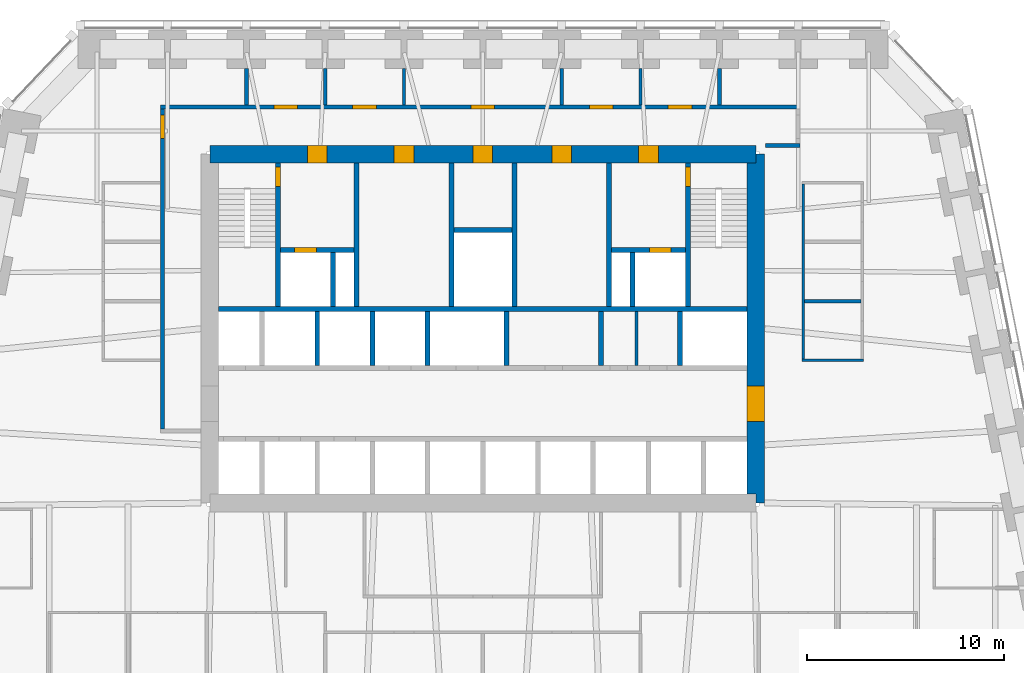
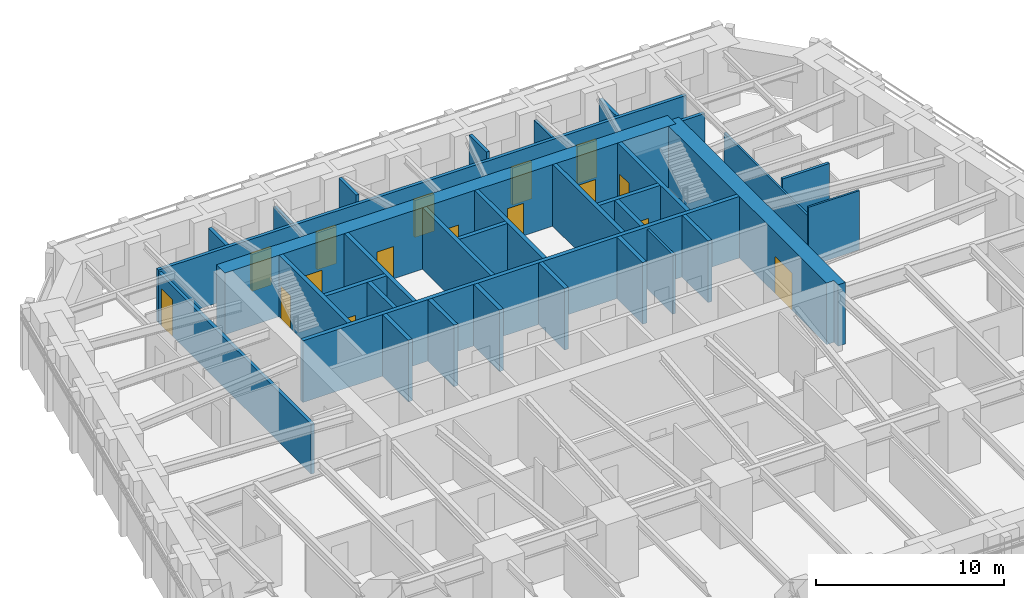
# One storey, part 7 of 10: 33 walls, 16 doors, 16 openings.
"""IFC4 building model written with IfcOpenShell, lengths in metres."""

from ifc_helpers import new_model, si_unit, direction, frame, frame_2d, origin, place, context, subcontext, project, spatial, polyline, rectangle, outline, extrude, material, layer, layer_set, type_object, element, fill, save


model = new_model("IFC4")

# Units and contexts
model_context = context("Model", 3, precision=1e-05, world=origin(), true_north=direction((0.0, 1.0)))
body_context = subcontext(model_context, "Body", "Model", "MODEL_VIEW")
ifc_project = project(units=[si_unit("LENGTHUNIT", "METRE"), si_unit("AREAUNIT", "SQUARE_METRE"), si_unit("VOLUMEUNIT", "CUBIC_METRE"), si_unit("PLANEANGLEUNIT", "RADIAN"), si_unit("MASSUNIT", "GRAM", prefix="KILO")], contexts=[model_context])

# Site, building, storey
site_placement = place(None, origin())
site = spatial("IfcSite", under=ifc_project, at=site_placement, CompositionType="ELEMENT")
building_placement = place(site_placement, origin())
building = spatial("IfcBuilding", under=site, at=building_placement, Name="Isbrekke Arena Tower", CompositionType="ELEMENT")
storey_placement = place(building_placement, frame((0.0, 0.0, 72.0)))
storey = spatial("IfcBuildingStorey", under=building, at=storey_placement, Name="L15", CompositionType="ELEMENT", Elevation=72.0)

# Wall, opening, door
ifc_material_1 = material(Name="Concrete B65 (C65/80)", Category="concrete")
ifc_layer_1 = layer(ifc_material_1, 0.89990234375)
ifc_layer_set_1 = layer_set([ifc_layer_1], Name="CW2 CORE WALL 900")
wall_type_1 = type_object("IfcWallType", Name="CW2 CORE WALL 900", PredefinedType="SHEAR", material=ifc_layer_set_1)
wall_1_placement = place(storey_placement, frame((13.85009765625, 6.14990234375, 0.0), z_axis=(0.0, 0.0, 1.0), x_axis=(0.0, 1.0, 0.0)))
wall_1 = element("IfcWall", 1, at=wall_1_placement, inside=storey, type_object=wall_type_1, Name="Core wall E L15", PredefinedType="SHEAR", context=body_context, shape_type="SweptSolid", body=[
    extrude(outline(polyline([(0.0, -0.449951171875), (17.7001953125, -0.449951171875), (17.7001953125, 0.0), (17.250244140625, 0.0), (17.250244140625, 0.449951171875), (0.449951171875, 0.449951171875), (0.449951171875, 0.0), (0.0, 0.0), (0.0, -0.449951171875)])), origin(), (0.0, 0.0, 1.0), 4.0),
])
opening_1_placement = place(wall_1_placement, frame((4.14990234375, 0.0, 0.0)))
opening_1 = element("IfcOpeningElement", 2, at=opening_1_placement, cuts=wall_1, Name="Opening D1", PredefinedType="OPENING", context=body_context, shape_type="SweptSolid", body=[
    extrude(rectangle(XDim=1.800048828125, YDim=2.39990234375, at=frame_2d((0.89990234375, 1.199951171875))), frame((0.0, 0.46484375, 0.0), z_axis=(0.0, -1.0, 0.0), x_axis=(1.0, 0.0, 0.0)), (0.0, 0.0, 1.0), 0.9296875),
])
ifc_material_2 = material(Name="Steel-framed glazed fire door", Category="steel")
door_type_1 = type_object("IfcDoorType", Name="D1 CORE LOBBY DOOR 1800 x 2400", OperationType="DOUBLE_DOOR_SINGLE_SWING", PredefinedType="DOOR", material=ifc_material_2)
door_1_placement = place(opening_1_placement, origin())
door_1 = element("IfcDoor", 3, at=door_1_placement, inside=storey, type_object=door_type_1, Name="D1 lift lobby door east L15", OperationType="DOUBLE_DOOR_SINGLE_SWING", OverallHeight=2.39990234375, OverallWidth=1.800048828125, PredefinedType="DOOR", context=body_context, shape_type="SweptSolid", body=[
    extrude(rectangle(XDim=1.800048828125, YDim=2.39990234375, at=frame_2d((0.89990234375, 1.199951171875))), frame((0.0, 0.44970703125, 0.0), z_axis=(0.0, -1.0, 0.0), x_axis=(1.0, 0.0, 0.0)), (0.0, 0.0, 1.0), 0.8994140625),
])
fill(opening_1, door_1)

# Wall, openings, doors
wall_2_placement = place(storey_placement, frame((13.85009765625, 23.85009765625, 0.0), z_axis=(0.0, 0.0, 1.0), x_axis=(-1.0, 0.0, 0.0)))
wall_2 = element("IfcWall", 4, at=wall_2_placement, inside=storey, type_object=wall_type_1, Name="Core wall N L15", PredefinedType="SHEAR", context=body_context, shape_type="SweptSolid", body=[
    extrude(rectangle(XDim=27.7001953125, YDim=0.89990234375, at=frame_2d((13.85009765625, 0.0))), origin(), (0.0, 0.0, 1.0), 4.0),
])
opening_2_placement = place(wall_2_placement, frame((21.75, 0.0, 0.0)))
opening_2 = element("IfcOpeningElement", 5, at=opening_2_placement, cuts=wall_2, Name="Opening D3", PredefinedType="OPENING", context=body_context, shape_type="SweptSolid", body=[
    extrude(rectangle(XDim=1.0, YDim=2.10009765625, at=frame_2d((0.5, 1.050048828125))), frame((0.0, 0.46484375, 0.0), z_axis=(0.0, -1.0, 0.0), x_axis=(1.0, 0.0, 0.0)), (0.0, 0.0, 1.0), 0.9296875),
])
opening_3_placement = place(wall_2_placement, frame((4.949951171875, 0.0, 0.0)))
opening_3 = element("IfcOpeningElement", 6, at=opening_3_placement, cuts=wall_2, Name="Opening D3", PredefinedType="OPENING", context=body_context, shape_type="SweptSolid", body=[
    extrude(rectangle(XDim=1.0, YDim=2.10009765625, at=frame_2d((0.5, 1.050048828125))), frame((0.0, 0.46484375, 0.0), z_axis=(0.0, -1.0, 0.0), x_axis=(1.0, 0.0, 0.0)), (0.0, 0.0, 1.0), 0.9296875),
])
opening_4_placement = place(wall_2_placement, frame((17.35009765625, 0.0, 0.0)))
opening_4 = element("IfcOpeningElement", 7, at=opening_4_placement, cuts=wall_2, Name="Opening D4", PredefinedType="OPENING", context=body_context, shape_type="SweptSolid", body=[
    extrude(rectangle(XDim=1.0, YDim=2.10009765625, at=frame_2d((0.5, 1.050048828125))), frame((0.0, 0.46484375, 0.0), z_axis=(0.0, -1.0, 0.0), x_axis=(1.0, 0.0, 0.0)), (0.0, 0.0, 1.0), 0.9296875),
])
opening_5_placement = place(wall_2_placement, frame((13.35009765625, 0.0, 0.0)))
opening_5 = element("IfcOpeningElement", 8, at=opening_5_placement, cuts=wall_2, Name="Opening D4", PredefinedType="OPENING", context=body_context, shape_type="SweptSolid", body=[
    extrude(rectangle(XDim=1.0, YDim=2.10009765625, at=frame_2d((0.5, 1.050048828125))), frame((0.0, 0.46484375, 0.0), z_axis=(0.0, -1.0, 0.0), x_axis=(1.0, 0.0, 0.0)), (0.0, 0.0, 1.0), 0.9296875),
])
opening_6_placement = place(wall_2_placement, frame((9.35009765625, 0.0, 0.0)))
opening_6 = element("IfcOpeningElement", 9, at=opening_6_placement, cuts=wall_2, Name="Opening D4", PredefinedType="OPENING", context=body_context, shape_type="SweptSolid", body=[
    extrude(rectangle(XDim=1.0, YDim=2.10009765625, at=frame_2d((0.5, 1.050048828125))), frame((0.0, 0.46484375, 0.0), z_axis=(0.0, -1.0, 0.0), x_axis=(1.0, 0.0, 0.0)), (0.0, 0.0, 1.0), 0.9296875),
])
ifc_material_3 = material(Name="Steel fire door", Category="steel")
door_type_2 = type_object("IfcDoorType", Name="D3 FIRE LOBBY DOOR 1000 x 2100", OperationType="SINGLE_SWING_RIGHT", PredefinedType="DOOR", material=ifc_material_3)
door_2_placement = place(opening_2_placement, origin())
door_2 = element("IfcDoor", 10, at=door_2_placement, inside=storey, type_object=door_type_2, Name="D3 fire-fighting lobby door L15", OperationType="SINGLE_SWING_RIGHT", OverallHeight=2.10009765625, OverallWidth=1.0, PredefinedType="DOOR", context=body_context, shape_type="SweptSolid", body=[
    extrude(rectangle(XDim=1.0, YDim=2.10009765625, at=frame_2d((0.5, 1.050048828125))), frame((0.0, 0.44970703125, 0.0), z_axis=(0.0, -1.0, 0.0), x_axis=(1.0, 0.0, 0.0)), (0.0, 0.0, 1.0), 0.8994140625),
])
fill(opening_2, door_2)
door_3_placement = place(opening_3_placement, origin())
door_3 = element("IfcDoor", 11, at=door_3_placement, inside=storey, type_object=door_type_2, Name="D3 fire-fighting lobby door L15", OperationType="SINGLE_SWING_RIGHT", OverallHeight=2.10009765625, OverallWidth=1.0, PredefinedType="DOOR", context=body_context, shape_type="SweptSolid", body=[
    extrude(rectangle(XDim=1.0, YDim=2.10009765625, at=frame_2d((0.5, 1.050048828125))), frame((0.0, 0.44970703125, 0.0), z_axis=(0.0, -1.0, 0.0), x_axis=(1.0, 0.0, 0.0)), (0.0, 0.0, 1.0), 0.8994140625),
])
fill(opening_3, door_3)
ifc_material_4 = material(Name="Timber door", Category="wood")
door_type_3 = type_object("IfcDoorType", Name="D4 WC DOOR 1000 x 2100", OperationType="SINGLE_SWING_LEFT", PredefinedType="DOOR", material=ifc_material_4)
door_4_placement = place(opening_4_placement, origin())
door_4 = element("IfcDoor", 12, at=door_4_placement, inside=storey, type_object=door_type_3, Name="D4 wc female door L15", OperationType="SINGLE_SWING_LEFT", OverallHeight=2.10009765625, OverallWidth=1.0, PredefinedType="DOOR", context=body_context, shape_type="SweptSolid", body=[
    extrude(rectangle(XDim=1.0, YDim=2.10009765625, at=frame_2d((0.5, 1.050048828125))), frame((0.0, 0.44970703125, 0.0), z_axis=(0.0, -1.0, 0.0), x_axis=(1.0, 0.0, 0.0)), (0.0, 0.0, 1.0), 0.8994140625),
])
fill(opening_4, door_4)
door_5_placement = place(opening_5_placement, origin())
door_5 = element("IfcDoor", 13, at=door_5_placement, inside=storey, type_object=door_type_3, Name="D4 accessible wc door L15", OperationType="SINGLE_SWING_LEFT", OverallHeight=2.10009765625, OverallWidth=1.0, PredefinedType="DOOR", context=body_context, shape_type="SweptSolid", body=[
    extrude(rectangle(XDim=1.0, YDim=2.10009765625, at=frame_2d((0.5, 1.050048828125))), frame((0.0, 0.44970703125, 0.0), z_axis=(0.0, -1.0, 0.0), x_axis=(1.0, 0.0, 0.0)), (0.0, 0.0, 1.0), 0.8994140625),
])
fill(opening_5, door_5)
door_6_placement = place(opening_6_placement, origin())
door_6 = element("IfcDoor", 14, at=door_6_placement, inside=storey, type_object=door_type_3, Name="D4 wc male door L15", OperationType="SINGLE_SWING_LEFT", OverallHeight=2.10009765625, OverallWidth=1.0, PredefinedType="DOOR", context=body_context, shape_type="SweptSolid", body=[
    extrude(rectangle(XDim=1.0, YDim=2.10009765625, at=frame_2d((0.5, 1.050048828125))), frame((0.0, 0.44970703125, 0.0), z_axis=(0.0, -1.0, 0.0), x_axis=(1.0, 0.0, 0.0)), (0.0, 0.0, 1.0), 0.8994140625),
])
fill(opening_6, door_6)

# Walls
ifc_material_5 = material(Name="Concrete B45 (C45/55)", Category="concrete")
ifc_layer_2 = layer(ifc_material_5, 0.25)
ifc_layer_set_2 = layer_set([ifc_layer_2], Name="CW6 SHAFT WALL 250")
wall_type_2 = type_object("IfcWallType", Name="CW6 SHAFT WALL 250", PredefinedType="SHEAR", material=ifc_layer_set_2)
wall_3_placement = place(storey_placement, frame((-13.39990234375, 16.0, 0.0), z_axis=(0.0, 0.0, 1.0), x_axis=(1.0, 0.0, 0.0)))
element("IfcWall", 15, at=wall_3_placement, inside=storey, type_object=wall_type_2, Name="Core wall NB L15", PredefinedType="SHEAR", context=body_context, shape_type="SweptSolid", body=[
    extrude(rectangle(XDim=26.7998046875, YDim=0.25, at=frame_2d((13.39990234375, 0.0))), origin(), (0.0, 0.0, 1.0), 4.0),
])
for number, where, z_axis, x_axis, name in (
    (16, (-8.39990234375, 13.125, 0.0), (0.0, 0.0, 1.0), (0.0, 1.0, 0.0), "Core wall SN02 L15"),
    (17, (-5.60009765625, 13.125, 0.0), (0.0, 0.0, 1.0), (0.0, 1.0, 0.0), "Core wall SN03 L15"),
    (18, (-2.800048828125, 13.125, 0.0), (0.0, 0.0, 1.0), (0.0, 1.0, 0.0), "Core wall SN04 L15"),
    (19, (1.199951171875, 13.125, 0.0), (0.0, 0.0, 1.0), (0.0, 1.0, 0.0), "Core wall SN05 L15"),
    (20, (6.0, 13.125, 0.0), (0.0, 0.0, 1.0), (0.0, 1.0, 0.0), "Core wall SN06 L15"),
    (21, (10.0, 13.125, 0.0), (0.0, 0.0, 1.0), (0.0, 1.0, 0.0), "Core wall SN07 L15"),
):
    element("IfcWall", number, at=place(storey_placement, frame(where, z_axis=z_axis, x_axis=x_axis)), inside=storey, type_object=wall_type_2, Name=name, PredefinedType="SHEAR", context=body_context, shape_type="SweptSolid", body=[
        extrude(rectangle(XDim=2.75, YDim=0.25, at=frame_2d((1.375, 0.0))), origin(), (0.0, 0.0, 1.0), 4.0),
    ])

# Wall, opening, door
wall_4_placement = place(storey_placement, frame((-10.39990234375, 16.125, 0.0), z_axis=(0.0, 0.0, 1.0), x_axis=(0.0, 1.0, 0.0)))
wall_4 = element("IfcWall", 22, at=wall_4_placement, inside=storey, type_object=wall_type_2, Name="Core wall NV01 L15", PredefinedType="SHEAR", context=body_context, shape_type="SweptSolid", body=[
    extrude(rectangle(XDim=7.27490234375, YDim=0.25, at=frame_2d((3.637451171875, 0.0))), origin(), (0.0, 0.0, 1.0), 4.0),
])
opening_7_placement = place(wall_4_placement, frame((6.074951171875, 0.0, 0.0)))
opening_7 = element("IfcOpeningElement", 23, at=opening_7_placement, cuts=wall_4, Name="Opening D2", PredefinedType="OPENING", context=body_context, shape_type="SweptSolid", body=[
    extrude(rectangle(XDim=1.0, YDim=2.10009765625, at=frame_2d((0.5, 1.050048828125))), frame((0.0, 0.139892578125, 0.0), z_axis=(0.0, -1.0, 0.0), x_axis=(1.0, 0.0, 0.0)), (0.0, 0.0, 1.0), 0.27978515625),
])
ifc_material_6 = material(Name="Steel fire door", Category="steel")
door_type_4 = type_object("IfcDoorType", Name="D2 STAIR DOOR 1000 x 2100", OperationType="SINGLE_SWING_LEFT", PredefinedType="DOOR", material=ifc_material_6)
door_7_placement = place(opening_7_placement, origin())
door_7 = element("IfcDoor", 24, at=door_7_placement, inside=storey, type_object=door_type_4, Name="D2 stair door ST1 L15", OperationType="SINGLE_SWING_LEFT", OverallHeight=2.10009765625, OverallWidth=1.0, PredefinedType="DOOR", context=body_context, shape_type="SweptSolid", body=[
    extrude(rectangle(XDim=1.0, YDim=2.10009765625, at=frame_2d((0.5, 1.050048828125))), frame((0.0, 0.124755859375, 0.0), z_axis=(0.0, -1.0, 0.0), x_axis=(1.0, 0.0, 0.0)), (0.0, 0.0, 1.0), 0.24951171875),
])
fill(opening_7, door_7)

# Walls
for number, where, z_axis, x_axis, name in (
    (25, (-6.39990234375, 16.125, 0.0), (0.0, 0.0, 1.0), (0.0, 1.0, 0.0), "Core wall NV02 L15"),
    (26, (-1.60009765625, 16.125, 0.0), (0.0, 0.0, 1.0), (0.0, 1.0, 0.0), "Core wall NV03 L15"),
    (27, (1.60009765625, 16.125, 0.0), (0.0, 0.0, 1.0), (0.0, 1.0, 0.0), "Core wall NV04 L15"),
    (28, (6.39990234375, 16.125, 0.0), (0.0, 0.0, 1.0), (0.0, 1.0, 0.0), "Core wall NV05 L15"),
):
    element("IfcWall", number, at=place(storey_placement, frame(where, z_axis=z_axis, x_axis=x_axis)), inside=storey, type_object=wall_type_2, Name=name, PredefinedType="SHEAR", context=body_context, shape_type="SweptSolid", body=[
        extrude(rectangle(XDim=7.27490234375, YDim=0.25, at=frame_2d((3.637451171875, 0.0))), origin(), (0.0, 0.0, 1.0), 4.0),
    ])

# Wall, opening, door
wall_5_placement = place(storey_placement, frame((10.39990234375, 16.125, 0.0), z_axis=(0.0, 0.0, 1.0), x_axis=(0.0, 1.0, 0.0)))
wall_5 = element("IfcWall", 29, at=wall_5_placement, inside=storey, type_object=wall_type_2, Name="Core wall NV06 L15", PredefinedType="SHEAR", context=body_context, shape_type="SweptSolid", body=[
    extrude(rectangle(XDim=7.27490234375, YDim=0.25, at=frame_2d((3.637451171875, 0.0))), origin(), (0.0, 0.0, 1.0), 4.0),
])
opening_8_placement = place(wall_5_placement, frame((6.074951171875, 0.0, 0.0)))
opening_8 = element("IfcOpeningElement", 30, at=opening_8_placement, cuts=wall_5, Name="Opening D2", PredefinedType="OPENING", context=body_context, shape_type="SweptSolid", body=[
    extrude(rectangle(XDim=1.0, YDim=2.10009765625, at=frame_2d((0.5, 1.050048828125))), frame((0.0, 0.139892578125, 0.0), z_axis=(0.0, -1.0, 0.0), x_axis=(1.0, 0.0, 0.0)), (0.0, 0.0, 1.0), 0.27978515625),
])
door_8_placement = place(opening_8_placement, origin())
door_8 = element("IfcDoor", 31, at=door_8_placement, inside=storey, type_object=door_type_4, Name="D2 stair door ST2 L15", OperationType="SINGLE_SWING_LEFT", OverallHeight=2.10009765625, OverallWidth=1.0, PredefinedType="DOOR", context=body_context, shape_type="SweptSolid", body=[
    extrude(rectangle(XDim=1.0, YDim=2.10009765625, at=frame_2d((0.5, 1.050048828125))), frame((0.0, 0.124755859375, 0.0), z_axis=(0.0, -1.0, 0.0), x_axis=(1.0, 0.0, 0.0)), (0.0, 0.0, 1.0), 0.24951171875),
])
fill(opening_8, door_8)

wall_6_placement = place(storey_placement, frame((-10.27490234375, 19.0, 0.0), z_axis=(0.0, 0.0, 1.0), x_axis=(1.0, 0.0, 0.0)))
wall_6 = element("IfcWall", 32, at=wall_6_placement, inside=storey, type_object=wall_type_2, Name="Core wall NFW L15", PredefinedType="SHEAR", context=body_context, shape_type="SweptSolid", body=[
    extrude(rectangle(XDim=3.75, YDim=0.25, at=frame_2d((1.875, 0.0))), origin(), (0.0, 0.0, 1.0), 4.0),
])
opening_9_placement = place(wall_6_placement, frame((0.72509765625, 0.0, 0.0)))
opening_9 = element("IfcOpeningElement", 33, at=opening_9_placement, cuts=wall_6, Name="Opening LD2", PredefinedType="OPENING", context=body_context, shape_type="SweptSolid", body=[
    extrude(rectangle(XDim=1.10009765625, YDim=2.10009765625, at=frame_2d((0.550048828125, 1.050048828125))), frame((0.0, 0.139892578125, 0.0), z_axis=(0.0, -1.0, 0.0), x_axis=(1.0, 0.0, 0.0)), (0.0, 0.0, 1.0), 0.27978515625),
])
ifc_material_7 = material(Name="Stainless steel lift landing door", Category="steel")
door_type_5 = type_object("IfcDoorType", Name="LD2 FIRE-FIGHTING LIFT LANDING DOOR 1100 x 2100", OperationType="SLIDING_TO_RIGHT", PredefinedType="DOOR", material=ifc_material_7)
door_9_placement = place(opening_9_placement, origin())
door_9 = element("IfcDoor", 34, at=door_9_placement, inside=storey, type_object=door_type_5, Name="LD2 lift landing door LF L15", OperationType="SLIDING_TO_RIGHT", OverallHeight=2.10009765625, OverallWidth=1.10009765625, PredefinedType="DOOR", context=body_context, shape_type="SweptSolid", body=[
    extrude(rectangle(XDim=1.10009765625, YDim=2.10009765625, at=frame_2d((0.550048828125, 1.050048828125))), frame((0.0, 0.124755859375, 0.0), z_axis=(0.0, -1.0, 0.0), x_axis=(1.0, 0.0, 0.0)), (0.0, 0.0, 1.0), 0.24951171875),
])
fill(opening_9, door_9)

wall_7_placement = place(storey_placement, frame((6.52490234375, 19.0, 0.0), z_axis=(0.0, 0.0, 1.0), x_axis=(1.0, 0.0, 0.0)))
wall_7 = element("IfcWall", 35, at=wall_7_placement, inside=storey, type_object=wall_type_2, Name="Core wall NFE L15", PredefinedType="SHEAR", context=body_context, shape_type="SweptSolid", body=[
    extrude(rectangle(XDim=3.75, YDim=0.25, at=frame_2d((1.875, 0.0))), origin(), (0.0, 0.0, 1.0), 4.0),
])
opening_10_placement = place(wall_7_placement, frame((1.925048828125, 0.0, 0.0)))
opening_10 = element("IfcOpeningElement", 36, at=opening_10_placement, cuts=wall_7, Name="Opening LD2", PredefinedType="OPENING", context=body_context, shape_type="SweptSolid", body=[
    extrude(rectangle(XDim=1.10009765625, YDim=2.10009765625, at=frame_2d((0.550048828125, 1.050048828125))), frame((0.0, 0.139892578125, 0.0), z_axis=(0.0, -1.0, 0.0), x_axis=(1.0, 0.0, 0.0)), (0.0, 0.0, 1.0), 0.27978515625),
])
door_10_placement = place(opening_10_placement, origin())
door_10 = element("IfcDoor", 37, at=door_10_placement, inside=storey, type_object=door_type_5, Name="LD2 lift landing door LF L15", OperationType="SLIDING_TO_RIGHT", OverallHeight=2.10009765625, OverallWidth=1.10009765625, PredefinedType="DOOR", context=body_context, shape_type="SweptSolid", body=[
    extrude(rectangle(XDim=1.10009765625, YDim=2.10009765625, at=frame_2d((0.550048828125, 1.050048828125))), frame((0.0, 0.124755859375, 0.0), z_axis=(0.0, -1.0, 0.0), x_axis=(1.0, 0.0, 0.0)), (0.0, 0.0, 1.0), 0.24951171875),
])
fill(opening_10, door_10)

# Walls
for number, where, z_axis, x_axis, name in (
    (38, (-7.60009765625, 16.125, 0.0), (0.0, 0.0, 1.0), (0.0, 1.0, 0.0), "Core wall NFS1 L15"),
    (39, (7.60009765625, 16.125, 0.0), (0.0, 0.0, 1.0), (0.0, 1.0, 0.0), "Core wall NFS2 L15"),
):
    element("IfcWall", number, at=place(storey_placement, frame(where, z_axis=z_axis, x_axis=x_axis)), inside=storey, type_object=wall_type_2, Name=name, PredefinedType="SHEAR", context=body_context, shape_type="SweptSolid", body=[
        extrude(rectangle(XDim=2.75, YDim=0.25, at=frame_2d((1.375, 0.0))), origin(), (0.0, 0.0, 1.0), 4.0),
    ])
wall_8_placement = place(storey_placement, frame((-1.47509765625, 20.0, 0.0), z_axis=(0.0, 0.0, 1.0), x_axis=(1.0, 0.0, 0.0)))
element("IfcWall", 40, at=wall_8_placement, inside=storey, type_object=wall_type_2, Name="Core wall NWC L15", PredefinedType="SHEAR", context=body_context, shape_type="SweptSolid", body=[
    extrude(rectangle(XDim=2.9501953125, YDim=0.25, at=frame_2d((1.47509765625, 0.0))), origin(), (0.0, 0.0, 1.0), 4.0),
])
ifc_material_8 = material(Name="Frameless glazed partition, laminated acoustic glass", Category="glass")
ifc_layer_3 = layer(ifc_material_8, 0.1201171875)
ifc_layer_set_3 = layer_set([ifc_layer_3], Name="IW2 GLAZED PARTITION 120")
wall_type_3 = type_object("IfcWallType", Name="IW2 GLAZED PARTITION 120", PredefinedType="PARTITIONING", material=ifc_layer_set_3)
wall_9_placement = place(storey_placement, frame((16.18994140625, 13.39990234375, 0.0), z_axis=(0.0, 0.0, 1.0), x_axis=(1.0, 0.0, 0.0)))
element("IfcWall", 41, at=wall_9_placement, inside=storey, type_object=wall_type_3, Name="IW2 glazed partition 120 L15", PredefinedType="PARTITIONING", context=body_context, shape_type="SweptSolid", body=[
    extrude(rectangle(XDim=3.1201171875, YDim=0.1201171875, at=frame_2d((1.56005859375, 0.0))), origin(), (0.0, 0.0, 1.0), 3.85009765625),
])
wall_10_placement = place(storey_placement, frame((16.25, 13.4599609375, 0.0), z_axis=(0.0, 0.0, 1.0), x_axis=(0.0, 1.0, 0.0)))
element("IfcWall", 42, at=wall_10_placement, inside=storey, type_object=wall_type_3, Name="IW2 glazed partition 120 L15", PredefinedType="PARTITIONING", context=body_context, shape_type="SweptSolid", body=[
    extrude(rectangle(XDim=8.880126953125, YDim=0.1201171875, at=frame_2d((4.43994140625, 0.0))), origin(), (0.0, 0.0, 1.0), 3.25),
])
ifc_material_9 = material(Name="Gypsum board fire-cell wall on steel studs, two layers each side", Category="steel")
ifc_layer_4 = layer(ifc_material_9, 0.199951171875)
ifc_layer_set_4 = layer_set([ifc_layer_4], Name="IW3 FIRE-CELL WALL 200")
wall_type_4 = type_object("IfcWallType", Name="IW3 FIRE-CELL WALL 200", PredefinedType="PARTITIONING", material=ifc_layer_set_4)
wall_11_placement = place(storey_placement, frame((14.330078125, 24.300048828125, 0.0), z_axis=(0.0, 0.0, 1.0), x_axis=(1.0, 0.0, 0.0)))
element("IfcWall", 43, at=wall_11_placement, inside=storey, type_object=wall_type_4, Name="IW3 fire-cell wall 200 L15", PredefinedType="PARTITIONING", context=body_context, shape_type="SweptSolid", body=[
    extrude(rectangle(XDim=1.77001953125, YDim=0.199951171875, at=frame_2d((0.885009765625, 0.0))), origin(), (0.0, 0.0, 1.0), 3.39990234375),
])

# Wall, openings, doors
wall_12_placement = place(storey_placement, frame((-16.35009765625, 26.25, 0.0), z_axis=(0.0, 0.0, 1.0), x_axis=(1.0, 0.0, 0.0)))
wall_12 = element("IfcWall", 44, at=wall_12_placement, inside=storey, type_object=wall_type_4, Name="IW3 fire-cell wall 200 L15", PredefinedType="PARTITIONING", context=body_context, shape_type="SweptSolid", body=[
    extrude(rectangle(XDim=32.4501953125, YDim=0.199951171875, at=frame_2d((16.22509765625, 0.0))), origin(), (0.0, 0.0, 1.0), 3.39990234375),
])
opening_11_placement = place(wall_12_placement, frame((5.75, 0.0, 0.0)))
opening_11 = element("IfcOpeningElement", 45, at=opening_11_placement, cuts=wall_12, Name="Opening D12", PredefinedType="OPENING", context=body_context, shape_type="SweptSolid", body=[
    extrude(rectangle(XDim=1.199951171875, YDim=2.39990234375, at=frame_2d((0.60009765625, 1.199951171875))), frame((0.0, 0.11474609375, 0.0), z_axis=(0.0, -1.0, 0.0), x_axis=(1.0, 0.0, 0.0)), (0.0, 0.0, 1.0), 0.229736328125),
])
opening_12_placement = place(wall_12_placement, frame((9.75, 0.0, 0.0)))
opening_12 = element("IfcOpeningElement", 46, at=opening_12_placement, cuts=wall_12, Name="Opening D12", PredefinedType="OPENING", context=body_context, shape_type="SweptSolid", body=[
    extrude(rectangle(XDim=1.199951171875, YDim=2.39990234375, at=frame_2d((0.60009765625, 1.199951171875))), frame((0.0, 0.11474609375, 0.0), z_axis=(0.0, -1.0, 0.0), x_axis=(1.0, 0.0, 0.0)), (0.0, 0.0, 1.0), 0.229736328125),
])
opening_13_placement = place(wall_12_placement, frame((15.75, 0.0, 0.0)))
opening_13 = element("IfcOpeningElement", 47, at=opening_13_placement, cuts=wall_12, Name="Opening D12", PredefinedType="OPENING", context=body_context, shape_type="SweptSolid", body=[
    extrude(rectangle(XDim=1.199951171875, YDim=2.39990234375, at=frame_2d((0.60009765625, 1.199951171875))), frame((0.0, 0.11474609375, 0.0), z_axis=(0.0, -1.0, 0.0), x_axis=(1.0, 0.0, 0.0)), (0.0, 0.0, 1.0), 0.229736328125),
])
opening_14_placement = place(wall_12_placement, frame((21.75, 0.0, 0.0)))
opening_14 = element("IfcOpeningElement", 48, at=opening_14_placement, cuts=wall_12, Name="Opening D12", PredefinedType="OPENING", context=body_context, shape_type="SweptSolid", body=[
    extrude(rectangle(XDim=1.199951171875, YDim=2.39990234375, at=frame_2d((0.60009765625, 1.199951171875))), frame((0.0, 0.11474609375, 0.0), z_axis=(0.0, -1.0, 0.0), x_axis=(1.0, 0.0, 0.0)), (0.0, 0.0, 1.0), 0.229736328125),
])
opening_15_placement = place(wall_12_placement, frame((25.75, 0.0, 0.0)))
opening_15 = element("IfcOpeningElement", 49, at=opening_15_placement, cuts=wall_12, Name="Opening D12", PredefinedType="OPENING", context=body_context, shape_type="SweptSolid", body=[
    extrude(rectangle(XDim=1.199951171875, YDim=2.39990234375, at=frame_2d((0.60009765625, 1.199951171875))), frame((0.0, 0.11474609375, 0.0), z_axis=(0.0, -1.0, 0.0), x_axis=(1.0, 0.0, 0.0)), (0.0, 0.0, 1.0), 0.229736328125),
])
ifc_material_10 = material(Name="Timber fire door with vision panel", Category="wood")
door_type_6 = type_object("IfcDoorType", Name="D12 SUITE ENTRANCE DOOR 1200 x 2400", OperationType="SINGLE_SWING_LEFT", PredefinedType="DOOR", material=ifc_material_10)
door_11_placement = place(opening_11_placement, origin())
door_11 = element("IfcDoor", 50, at=door_11_placement, inside=storey, type_object=door_type_6, Name="D12 focus room door L15", OperationType="SINGLE_SWING_LEFT", OverallHeight=2.39990234375, OverallWidth=1.199951171875, PredefinedType="DOOR", context=body_context, shape_type="SweptSolid", body=[
    extrude(rectangle(XDim=1.199951171875, YDim=2.39990234375, at=frame_2d((0.60009765625, 1.199951171875))), frame((0.0, 0.099609375, 0.0), z_axis=(0.0, -1.0, 0.0), x_axis=(1.0, 0.0, 0.0)), (0.0, 0.0, 1.0), 0.199462890625),
])
fill(opening_11, door_11)
door_12_placement = place(opening_12_placement, origin())
door_12 = element("IfcDoor", 51, at=door_12_placement, inside=storey, type_object=door_type_6, Name="D12 focus room door L15", OperationType="SINGLE_SWING_LEFT", OverallHeight=2.39990234375, OverallWidth=1.199951171875, PredefinedType="DOOR", context=body_context, shape_type="SweptSolid", body=[
    extrude(rectangle(XDim=1.199951171875, YDim=2.39990234375, at=frame_2d((0.60009765625, 1.199951171875))), frame((0.0, 0.099609375, 0.0), z_axis=(0.0, -1.0, 0.0), x_axis=(1.0, 0.0, 0.0)), (0.0, 0.0, 1.0), 0.199462890625),
])
fill(opening_12, door_12)
door_13_placement = place(opening_13_placement, origin())
door_13 = element("IfcDoor", 52, at=door_13_placement, inside=storey, type_object=door_type_6, Name="D12 meeting room door L15", OperationType="SINGLE_SWING_LEFT", OverallHeight=2.39990234375, OverallWidth=1.199951171875, PredefinedType="DOOR", context=body_context, shape_type="SweptSolid", body=[
    extrude(rectangle(XDim=1.199951171875, YDim=2.39990234375, at=frame_2d((0.60009765625, 1.199951171875))), frame((0.0, 0.099609375, 0.0), z_axis=(0.0, -1.0, 0.0), x_axis=(1.0, 0.0, 0.0)), (0.0, 0.0, 1.0), 0.199462890625),
])
fill(opening_13, door_13)
door_14_placement = place(opening_14_placement, origin())
door_14 = element("IfcDoor", 53, at=door_14_placement, inside=storey, type_object=door_type_6, Name="D12 focus room door L15", OperationType="SINGLE_SWING_LEFT", OverallHeight=2.39990234375, OverallWidth=1.199951171875, PredefinedType="DOOR", context=body_context, shape_type="SweptSolid", body=[
    extrude(rectangle(XDim=1.199951171875, YDim=2.39990234375, at=frame_2d((0.60009765625, 1.199951171875))), frame((0.0, 0.099609375, 0.0), z_axis=(0.0, -1.0, 0.0), x_axis=(1.0, 0.0, 0.0)), (0.0, 0.0, 1.0), 0.199462890625),
])
fill(opening_14, door_14)
door_15_placement = place(opening_15_placement, origin())
door_15 = element("IfcDoor", 54, at=door_15_placement, inside=storey, type_object=door_type_6, Name="D12 focus room door L15", OperationType="SINGLE_SWING_LEFT", OverallHeight=2.39990234375, OverallWidth=1.199951171875, PredefinedType="DOOR", context=body_context, shape_type="SweptSolid", body=[
    extrude(rectangle(XDim=1.199951171875, YDim=2.39990234375, at=frame_2d((0.60009765625, 1.199951171875))), frame((0.0, 0.099609375, 0.0), z_axis=(0.0, -1.0, 0.0), x_axis=(1.0, 0.0, 0.0)), (0.0, 0.0, 1.0), 0.199462890625),
])
fill(opening_15, door_15)

# Wall, opening, door
wall_13_placement = place(storey_placement, frame((-16.25, 9.89990234375, 0.0), z_axis=(0.0, 0.0, 1.0), x_axis=(0.0, 1.0, 0.0)))
wall_13 = element("IfcWall", 55, at=wall_13_placement, inside=storey, type_object=wall_type_4, Name="IW3 fire-cell wall 200 L15", PredefinedType="PARTITIONING", context=body_context, shape_type="SweptSolid", body=[
    extrude(rectangle(XDim=16.25, YDim=0.199951171875, at=frame_2d((8.125, 0.0))), origin(), (0.0, 0.0, 1.0), 3.25),
])
opening_16_placement = place(wall_13_placement, frame((14.75, 0.0, 0.0)))
opening_16 = element("IfcOpeningElement", 56, at=opening_16_placement, cuts=wall_13, Name="Opening D12", PredefinedType="OPENING", context=body_context, shape_type="SweptSolid", body=[
    extrude(rectangle(XDim=1.199951171875, YDim=2.39990234375, at=frame_2d((0.60009765625, 1.199951171875))), frame((0.0, 0.11474609375, 0.0), z_axis=(0.0, -1.0, 0.0), x_axis=(1.0, 0.0, 0.0)), (0.0, 0.0, 1.0), 0.229736328125),
])
door_16_placement = place(opening_16_placement, origin())
door_16 = element("IfcDoor", 57, at=door_16_placement, inside=storey, type_object=door_type_6, Name="D12 suite entrance A door L15", OperationType="SINGLE_SWING_LEFT", OverallHeight=2.39990234375, OverallWidth=1.199951171875, PredefinedType="DOOR", context=body_context, shape_type="SweptSolid", body=[
    extrude(rectangle(XDim=1.199951171875, YDim=2.39990234375, at=frame_2d((0.60009765625, 1.199951171875))), frame((0.0, 0.099609375, 0.0), z_axis=(0.0, -1.0, 0.0), x_axis=(1.0, 0.0, 0.0)), (0.0, 0.0, 1.0), 0.199462890625),
])
fill(opening_16, door_16)

# Walls
for number, where, z_axis, x_axis, name in (
    (58, (-12.0, 26.35009765625, 0.0), (0.0, 0.0, 1.0), (0.0, 1.0, 0.0), "IW3 fire-cell wall 200 L15"),
    (59, (12.0, 26.35009765625, 0.0), (0.0, 0.0, 1.0), (0.0, 1.0, 0.0), "IW3 fire-cell wall 200 L15"),
):
    element("IfcWall", number, at=place(storey_placement, frame(where, z_axis=z_axis, x_axis=x_axis)), inside=storey, type_object=wall_type_4, Name=name, PredefinedType="PARTITIONING", context=body_context, shape_type="SweptSolid", body=[
        extrude(rectangle(XDim=1.849853515625, YDim=0.199951171875, at=frame_2d((0.9248046875, 0.0))), origin(), (0.0, 0.0, 1.0), 3.39990234375),
    ])
ifc_material_11 = material(Name="Gypsum board acoustic partition on twin steel studs", Category="steel")
ifc_layer_5 = layer(ifc_material_11, 0.175048828125)
ifc_layer_set_5 = layer_set([ifc_layer_5], Name="IW4 ACOUSTIC PARTITION 175")
wall_type_5 = type_object("IfcWallType", Name="IW4 ACOUSTIC PARTITION 175", PredefinedType="PARTITIONING", material=ifc_layer_set_5)
wall_14_placement = place(storey_placement, frame((16.31005859375, 16.39990234375, 0.0), z_axis=(0.0, 0.0, 1.0), x_axis=(1.0, 0.0, 0.0)))
element("IfcWall", 60, at=wall_14_placement, inside=storey, type_object=wall_type_5, Name="IW4 acoustic partition 175 L15", PredefinedType="PARTITIONING", context=body_context, shape_type="SweptSolid", body=[
    extrude(rectangle(XDim=2.8798828125, YDim=0.175048828125, at=frame_2d((1.43994140625, 0.0))), origin(), (0.0, 0.0, 1.0), 3.85009765625),
])
wall_15_placement = place(storey_placement, frame((-8.0, 26.35009765625, 0.0), z_axis=(0.0, 0.0, 1.0), x_axis=(0.0, 1.0, 0.0)))
element("IfcWall", 61, at=wall_15_placement, inside=storey, type_object=wall_type_5, Name="IW4 acoustic partition 175 L15", PredefinedType="PARTITIONING", context=body_context, shape_type="SweptSolid", body=[
    extrude(rectangle(XDim=1.849853515625, YDim=0.175048828125, at=frame_2d((0.9248046875, 0.0))), origin(), (0.0, 0.0, 1.0), 3.39990234375),
])
for number, where, z_axis, x_axis, name in (
    (62, (-4.0, 26.35009765625, 0.0), (0.0, 0.0, 1.0), (0.0, 1.0, 0.0), "IW4 acoustic partition 175 L15"),
    (63, (4.0, 26.35009765625, 0.0), (0.0, 0.0, 1.0), (0.0, 1.0, 0.0), "IW4 acoustic partition 175 L15"),
):
    element("IfcWall", number, at=place(storey_placement, frame(where, z_axis=z_axis, x_axis=x_axis)), inside=storey, type_object=wall_type_5, Name=name, PredefinedType="PARTITIONING", context=body_context, shape_type="SweptSolid", body=[
        extrude(rectangle(XDim=1.849853515625, YDim=0.175048828125, at=frame_2d((0.9248046875, 0.0))), origin(), (0.0, 0.0, 1.0), 3.85009765625),
    ])
wall_16_placement = place(storey_placement, frame((8.0, 26.35009765625, 0.0), z_axis=(0.0, 0.0, 1.0), x_axis=(0.0, 1.0, 0.0)))
element("IfcWall", 64, at=wall_16_placement, inside=storey, type_object=wall_type_5, Name="IW4 acoustic partition 175 L15", PredefinedType="PARTITIONING", context=body_context, shape_type="SweptSolid", body=[
    extrude(rectangle(XDim=1.849853515625, YDim=0.175048828125, at=frame_2d((0.9248046875, 0.0))), origin(), (0.0, 0.0, 1.0), 3.39990234375),
])
ifc_material_12 = material(Name="Gypsum board fire-rated partition on steel studs, two layers each side", Category="steel")
ifc_layer_6 = layer(ifc_material_12, 0.14990234375)
ifc_layer_set_6 = layer_set([ifc_layer_6], Name="IW5 FIRE-RATED PARTITION 150")
wall_type_6 = type_object("IfcWallType", Name="IW5 FIRE-RATED PARTITION 150", PredefinedType="PARTITIONING", material=ifc_layer_set_6)
wall_17_placement = place(storey_placement, frame((7.800048828125, 13.125, 0.0), z_axis=(0.0, 0.0, 1.0), x_axis=(0.0, 1.0, 0.0)))
element("IfcWall", 65, at=wall_17_placement, inside=storey, type_object=wall_type_6, Name="IW5 fire-rated partition L15 core service rooms 1", PredefinedType="PARTITIONING", context=body_context, shape_type="SweptSolid", body=[
    extrude(rectangle(XDim=2.75, YDim=0.14990234375, at=frame_2d((1.375, 0.0))), origin(), (0.0, 0.0, 1.0), 3.85009765625),
])

save(model, "model.ifc")
